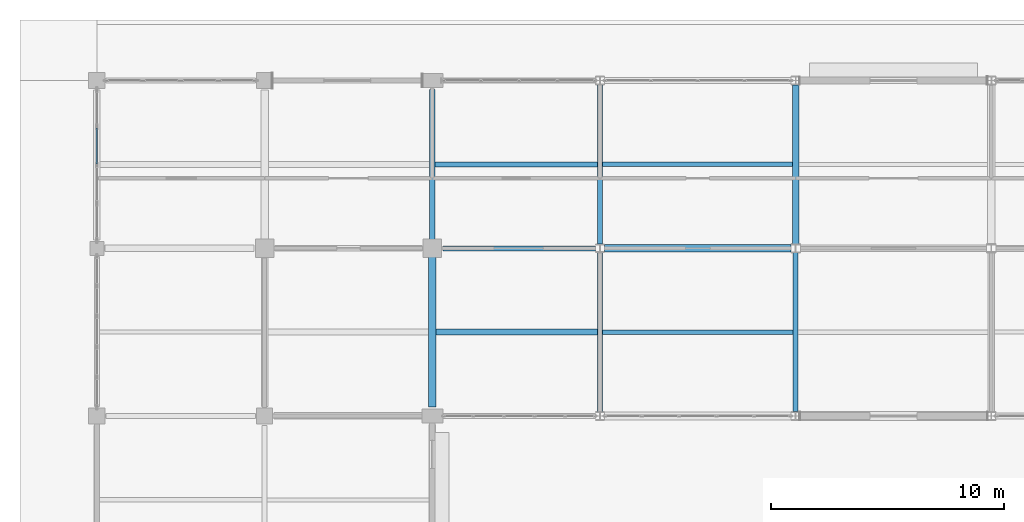
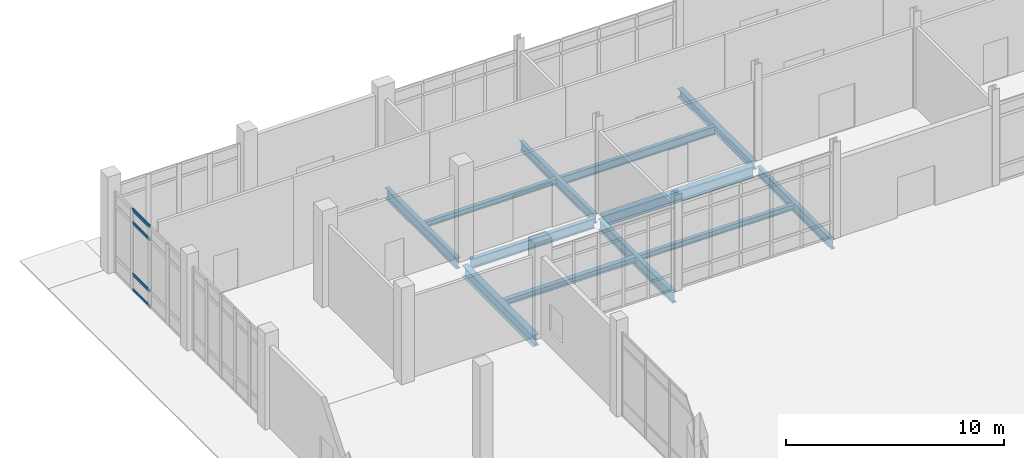
# One storey, part 86 of 229: 12 beams, 4 members, 1 element without a shape of its own.
"""IFC4 building model written with IfcOpenShell, lengths in metres."""

from ifc_helpers import new_model, si_unit, direction, frame, origin, origin_2d, place, context, subcontext, project, spatial, hollow_rectangle, i_section, extrude, material, layer, layer_set, material_profile, profile_set, type_object, element, aggregate, save


model = new_model("IFC4")

# Units and contexts
model_context = context("Model", 3, precision=1e-05, world=origin(), true_north=direction((0.0, 1.0)))
body_context = subcontext(model_context, "Body", "Model", "MODEL_VIEW")
ifc_project = project(units=[si_unit("LENGTHUNIT", "METRE"), si_unit("AREAUNIT", "SQUARE_METRE"), si_unit("VOLUMEUNIT", "CUBIC_METRE"), si_unit("PLANEANGLEUNIT", "RADIAN"), si_unit("MASSUNIT", "GRAM", prefix="KILO")], contexts=[model_context])

# Site, building, storey
site_placement = place(None, origin())
site = spatial("IfcSite", under=ifc_project, at=site_placement, CompositionType="ELEMENT")
building_placement = place(site_placement, origin())
building = spatial("IfcBuilding", under=site, at=building_placement, Name="Calvrana Isthmian Art Gallery", CompositionType="ELEMENT")
storey_placement = place(building_placement, origin())
storey = spatial("IfcBuildingStorey", under=building, at=storey_placement, Name="L00", CompositionType="ELEMENT", Elevation=0.0)

# Beams
ifc_material_1 = material(Name="Steel ASTM A992 Gr 50", Category="steel")
ifc_material_profile_1 = material_profile(ifc_material_1, i_section(OverallWidth=0.279052734375, OverallDepth=0.4619140625, WebThickness=0.0107421875, FlangeThickness=0.017333984375, FilletRadius=0.02001953125, at=origin_2d()), Name="W18X76")
ifc_profile_set_1 = profile_set([ifc_material_profile_1], Name="Steel ASTM A992 Gr 50")
beam_type_1 = type_object("IfcBeamType", Name="BM-G-W18X76", PredefinedType="BEAM", material=ifc_profile_set_1)
beam_1_placement = place(storey_placement, frame((30.0, 105.79052734375, -0.51611328125), z_axis=(0.0, 1.0, 0.0), x_axis=(-1.0, 0.0, 0.0)))
element("IfcBeam", 1, at=beam_1_placement, inside=storey, type_object=beam_type_1, Name="Girder Y L00 05/O-P", PredefinedType="BEAM", context=body_context, shape_type="SweptSolid", body=[
    extrude(i_section(OverallWidth=0.279052734375, OverallDepth=0.4619140625, WebThickness=0.0107421875, FlangeThickness=0.017333984375, FilletRadius=0.02001953125, at=origin_2d()), origin(), (0.0, 0.0, 1.0), 6.81640625),
])
ifc_material_profile_2 = material_profile(ifc_material_1, i_section(OverallWidth=0.208984375, OverallDepth=0.532958984375, WebThickness=0.01025390625, FlangeThickness=0.015625, FilletRadius=0.02099609375, at=origin_2d()), Name="W21X62")
ifc_profile_set_2 = profile_set([ifc_material_profile_2], Name="Steel ASTM A992 Gr 50")
beam_type_2 = type_object("IfcBeamType", Name="BM-G-W21X62", PredefinedType="BEAM", material=ifc_profile_set_2)
beam_2_placement = place(storey_placement, frame((21.60009765625, 105.79296875, -0.551513671875), z_axis=(0.0, 1.0, 0.0), x_axis=(-1.0, 0.0, 0.0)))
element("IfcBeam", 2, at=beam_2_placement, inside=storey, type_object=beam_type_2, Name="Girder Y L00 04/O-P", PredefinedType="BEAM", context=body_context, shape_type="SweptSolid", body=[
    extrude(i_section(OverallWidth=0.208984375, OverallDepth=0.532958984375, WebThickness=0.01025390625, FlangeThickness=0.015625, FilletRadius=0.02099609375, at=origin_2d()), origin(), (0.0, 0.0, 1.0), 6.820556640625),
])
beam_3_placement = place(storey_placement, frame((30.0, 98.587890625, -0.551513671875), z_axis=(0.0, 1.0, 0.0), x_axis=(-1.0, 0.0, 0.0)))
element("IfcBeam", 3, at=beam_3_placement, inside=storey, type_object=beam_type_2, Name="Girder Y L00 05/N-O", PredefinedType="BEAM", context=body_context, shape_type="SweptSolid", body=[
    extrude(i_section(OverallWidth=0.208984375, OverallDepth=0.532958984375, WebThickness=0.01025390625, FlangeThickness=0.015625, FilletRadius=0.02099609375, at=origin_2d()), origin(), (0.0, 0.0, 1.0), 6.821533203125),
])
ifc_material_profile_3 = material_profile(ifc_material_1, i_section(OverallWidth=0.214111328125, OverallDepth=0.549072265625, WebThickness=0.0146484375, FlangeThickness=0.023681640625, FilletRadius=0.02099609375, at=origin_2d()), Name="W21X93")
ifc_profile_set_3 = profile_set([ifc_material_profile_3], Name="Steel ASTM A992 Gr 50")
beam_type_3 = type_object("IfcBeamType", Name="BM-G-W21X93", PredefinedType="BEAM", material=ifc_profile_set_3)
beam_4_placement = place(storey_placement, frame((14.85009765625, 105.60009765625, -0.5595703125), z_axis=(1.0, 0.0, 0.0), x_axis=(0.0, 1.0, 0.0)))
element("IfcBeam", 4, at=beam_4_placement, inside=storey, type_object=beam_type_3, Name="Girder X L00 03-04/O", PredefinedType="BEAM", context=body_context, shape_type="SweptSolid", body=[
    extrude(i_section(OverallWidth=0.214111328125, OverallDepth=0.549072265625, WebThickness=0.0146484375, FlangeThickness=0.023681640625, FilletRadius=0.02099609375, at=origin_2d()), origin(), (0.0, 0.0, 1.0), 6.55029296875),
])
ifc_material_profile_4 = material_profile(ifc_material_1, i_section(OverallWidth=0.324951171875, OverallDepth=0.612060546875, WebThickness=0.0126953125, FlangeThickness=0.01904296875, FilletRadius=0.02197265625, at=origin_2d()), Name="W24X104")
ifc_profile_set_4 = profile_set([ifc_material_profile_4], Name="Steel ASTM A992 Gr 50")
beam_type_4 = type_object("IfcBeamType", Name="BM-G-W24X104", PredefinedType="BEAM", material=ifc_profile_set_4)
beam_5_placement = place(storey_placement, frame((21.799560546875, 105.60009765625, -0.591064453125), z_axis=(1.0, 0.0, 0.0), x_axis=(0.0, 1.0, 0.0)))
element("IfcBeam", 5, at=beam_5_placement, inside=storey, type_object=beam_type_4, Name="Girder X L00 04-05/O", PredefinedType="BEAM", context=body_context, shape_type="SweptSolid", body=[
    extrude(i_section(OverallWidth=0.324951171875, OverallDepth=0.612060546875, WebThickness=0.0126953125, FlangeThickness=0.01904296875, FilletRadius=0.02197265625, at=origin_2d()), origin(), (0.0, 0.0, 1.0), 8.00244140625),
])
beam_6_placement = place(storey_placement, frame((14.39990234375, 98.77490234375, -0.591064453125), z_axis=(0.0, 1.0, 0.0), x_axis=(-1.0, 0.0, 0.0)))
element("IfcBeam", 6, at=beam_6_placement, inside=storey, type_object=beam_type_4, Name="Girder Y L00 03/N-O", PredefinedType="BEAM", context=body_context, shape_type="SweptSolid", body=[
    extrude(i_section(OverallWidth=0.324951171875, OverallDepth=0.612060546875, WebThickness=0.0126953125, FlangeThickness=0.01904296875, FilletRadius=0.02197265625, at=origin_2d()), origin(), (0.0, 0.0, 1.0), 6.525146484375),
])
ifc_material_profile_5 = material_profile(ifc_material_1, i_section(OverallWidth=0.22802734375, OverallDepth=0.60693359375, WebThickness=0.01123046875, FlangeThickness=0.017333984375, FilletRadius=0.02197265625, at=origin_2d()), Name="W24X76")
ifc_profile_set_5 = profile_set([ifc_material_profile_5], Name="Steel ASTM A992 Gr 50")
beam_type_5 = type_object("IfcBeamType", Name="BM-G-W24X76", PredefinedType="BEAM", material=ifc_profile_set_5)
beam_7_placement = place(storey_placement, frame((14.39990234375, 105.89990234375, -0.58837890625), z_axis=(0.0, 1.0, 0.0), x_axis=(-1.0, 0.0, 0.0)))
element("IfcBeam", 7, at=beam_7_placement, inside=storey, type_object=beam_type_5, Name="Girder Y L00 03/O-P", PredefinedType="BEAM", context=body_context, shape_type="SweptSolid", body=[
    extrude(i_section(OverallWidth=0.22802734375, OverallDepth=0.60693359375, WebThickness=0.01123046875, FlangeThickness=0.017333984375, FilletRadius=0.02197265625, at=origin_2d()), origin(), (0.0, 0.0, 1.0), 6.525146484375),
])
beam_8_placement = place(storey_placement, frame((21.60009765625, 98.590576171875, -0.58837890625), z_axis=(0.0, 1.0, 0.0), x_axis=(-1.0, 0.0, 0.0)))
element("IfcBeam", 8, at=beam_8_placement, inside=storey, type_object=beam_type_5, Name="Girder Y L00 04/N-O", PredefinedType="BEAM", context=body_context, shape_type="SweptSolid", body=[
    extrude(i_section(OverallWidth=0.22802734375, OverallDepth=0.60693359375, WebThickness=0.01123046875, FlangeThickness=0.017333984375, FilletRadius=0.02197265625, at=origin_2d()), origin(), (0.0, 0.0, 1.0), 6.81640625),
])
ifc_material_profile_6 = material_profile(ifc_material_1, i_section(OverallWidth=0.202880859375, OverallDepth=0.302001953125, WebThickness=0.007568359375, FlangeThickness=0.01318359375, FilletRadius=0.01611328125, at=origin_2d()), Name="W12X40")
ifc_profile_set_6 = profile_set([ifc_material_profile_6], Name="Steel ASTM A992 Gr 50")
beam_type_6 = type_object("IfcBeamType", Name="BM-J-W12X40", PredefinedType="JOIST", material=ifc_profile_set_6)
beam_9_placement = place(storey_placement, frame((14.513916015625, 109.199951171875, -0.43603515625), z_axis=(1.0, 0.0, 0.0), x_axis=(0.0, 1.0, 0.0)))
element("IfcBeam", 9, at=beam_9_placement, inside=storey, type_object=beam_type_6, Name="Composite joist L00 bay 02-14", PredefinedType="JOIST", context=body_context, shape_type="SweptSolid", body=[
    extrude(i_section(OverallWidth=0.202880859375, OverallDepth=0.302001953125, WebThickness=0.007568359375, FlangeThickness=0.01318359375, FilletRadius=0.01611328125, at=origin_2d()), origin(), (0.0, 0.0, 1.0), 6.981689453125),
])
beam_10_placement = place(storey_placement, frame((21.714111328125, 102.0, -0.43603515625), z_axis=(1.0, 0.0, 0.0), x_axis=(0.0, 1.0, 0.0)))
element("IfcBeam", 10, at=beam_10_placement, inside=storey, type_object=beam_type_6, Name="Composite joist L00 bay 03-13", PredefinedType="JOIST", context=body_context, shape_type="SweptSolid", body=[
    extrude(i_section(OverallWidth=0.202880859375, OverallDepth=0.302001953125, WebThickness=0.007568359375, FlangeThickness=0.01318359375, FilletRadius=0.01611328125, at=origin_2d()), origin(), (0.0, 0.0, 1.0), 8.181396484375),
])
ifc_material_profile_7 = material_profile(ifc_material_1, i_section(OverallWidth=0.25390625, OverallDepth=0.306884765625, WebThickness=0.0087890625, FlangeThickness=0.0146484375, FilletRadius=0.01611328125, at=origin_2d()), Name="W12X53")
ifc_profile_set_7 = profile_set([ifc_material_profile_7], Name="Steel ASTM A992 Gr 50")
beam_type_7 = type_object("IfcBeamType", Name="BM-J-W12X53", PredefinedType="JOIST", material=ifc_profile_set_7)
beam_11_placement = place(storey_placement, frame((14.5625, 102.0, -0.4384765625), z_axis=(1.0, 0.0, 0.0), x_axis=(0.0, 1.0, 0.0)))
element("IfcBeam", 11, at=beam_11_placement, inside=storey, type_object=beam_type_7, Name="Composite joist L00 bay 02-13", PredefinedType="JOIST", context=body_context, shape_type="SweptSolid", body=[
    extrude(i_section(OverallWidth=0.25390625, OverallDepth=0.306884765625, WebThickness=0.0087890625, FlangeThickness=0.0146484375, FilletRadius=0.01611328125, at=origin_2d()), origin(), (0.0, 0.0, 1.0), 6.923583984375),
])
ifc_material_profile_8 = material_profile(ifc_material_1, i_section(OverallWidth=0.19091796875, OverallDepth=0.45703125, WebThickness=0.009033203125, FlangeThickness=0.014404296875, FilletRadius=0.02001953125, at=origin_2d()), Name="W18X50")
ifc_profile_set_8 = profile_set([ifc_material_profile_8], Name="Steel ASTM A992 Gr 50")
beam_type_8 = type_object("IfcBeamType", Name="BM-J-W18X50", PredefinedType="JOIST", material=ifc_profile_set_8)
beam_12_placement = place(storey_placement, frame((21.70458984375, 109.199951171875, -0.513427734375), z_axis=(1.0, 0.0, 0.0), x_axis=(0.0, 1.0, 0.0)))
element("IfcBeam", 12, at=beam_12_placement, inside=storey, type_object=beam_type_8, Name="Composite joist L00 bay 03-14", PredefinedType="JOIST", context=body_context, shape_type="SweptSolid", body=[
    extrude(i_section(OverallWidth=0.19091796875, OverallDepth=0.45703125, WebThickness=0.009033203125, FlangeThickness=0.014404296875, FilletRadius=0.02001953125, at=origin_2d()), origin(), (0.0, 0.0, 1.0), 8.156005859375),
])

# Curtain wall, members
ifc_material_2 = material(Name="Anodized bronze aluminium 6063-T6", Category="aluminium")
ifc_layer = layer(ifc_material_2, 0.179931640625, Name="Anodized bronze aluminium 6063-T6")
ifc_layer_set = layer_set([ifc_layer], Name="Anodized bronze aluminium 6063-T6")
curtain_wall_type = type_object("IfcCurtainWallType", Name="CW-UNIT-065X45", PredefinedType="USERDEFINED", material=ifc_layer_set)
curtain_wall_placement = place(storey_placement, origin())
curtain_wall = element("IfcCurtainWall", 13, at=curtain_wall_placement, inside=storey, type_object=curtain_wall_type, Name="Curtain wall CW-053", ObjectType="UNITISED CURTAIN WALL", PredefinedType="USERDEFINED")
ifc_material_profile_9 = material_profile(ifc_material_2, hollow_rectangle(XDim=0.070068359375, YDim=0.169921875, WallThickness=0.00439453125, at=origin_2d()), Name="CWT70X170")
ifc_profile_set_9 = profile_set([ifc_material_profile_9], Name="Anodized bronze aluminium 6063-T6")
member_type = type_object("IfcMemberType", Name="CWT-CWT70X170", PredefinedType="USERDEFINED", material=ifc_profile_set_9)
member_1_placement = place(storey_placement, frame((0.0, 109.215087890625, 0.034912109375), z_axis=(0.0, 1.0, 0.0), x_axis=(-1.0, 0.0, 0.0)))
member_1 = element("IfcMember", 14, at=member_1_placement, type_object=member_type, Name="CW-053 transom 3.1", ObjectType="TRANSOM", PredefinedType="USERDEFINED", context=body_context, shape_type="SweptSolid", body=[
    extrude(hollow_rectangle(XDim=0.070068359375, YDim=0.169921875, WallThickness=0.00439453125, at=origin_2d()), origin(), (0.0, 0.0, 1.0), 1.557373046875),
])
member_2_placement = place(storey_placement, frame((0.0, 109.215087890625, 0.89990234375), z_axis=(0.0, 1.0, 0.0), x_axis=(-1.0, 0.0, 0.0)))
member_2 = element("IfcMember", 15, at=member_2_placement, type_object=member_type, Name="CW-053 transom 3.2", ObjectType="TRANSOM", PredefinedType="USERDEFINED", context=body_context, shape_type="SweptSolid", body=[
    extrude(hollow_rectangle(XDim=0.070068359375, YDim=0.169921875, WallThickness=0.00439453125, at=origin_2d()), origin(), (0.0, 0.0, 1.0), 1.557373046875),
])
member_3_placement = place(storey_placement, frame((0.0, 109.215087890625, 3.778076171875), z_axis=(0.0, 1.0, 0.0), x_axis=(-1.0, 0.0, 0.0)))
member_3 = element("IfcMember", 16, at=member_3_placement, type_object=member_type, Name="CW-053 transom 3.3", ObjectType="TRANSOM", PredefinedType="USERDEFINED", context=body_context, shape_type="SweptSolid", body=[
    extrude(hollow_rectangle(XDim=0.070068359375, YDim=0.169921875, WallThickness=0.00439453125, at=origin_2d()), origin(), (0.0, 0.0, 1.0), 1.557373046875),
])
member_4_placement = place(storey_placement, frame((0.0, 109.215087890625, 4.492919921875), z_axis=(0.0, 1.0, 0.0), x_axis=(-1.0, 0.0, 0.0)))
member_4 = element("IfcMember", 17, at=member_4_placement, type_object=member_type, Name="CW-053 transom 3.4", ObjectType="TRANSOM", PredefinedType="USERDEFINED", context=body_context, shape_type="SweptSolid", body=[
    extrude(hollow_rectangle(XDim=0.070068359375, YDim=0.169921875, WallThickness=0.00439453125, at=origin_2d()), origin(), (0.0, 0.0, 1.0), 1.557373046875),
])
aggregate(curtain_wall, [member_1, member_2, member_3, member_4])

save(model, "model.ifc")
